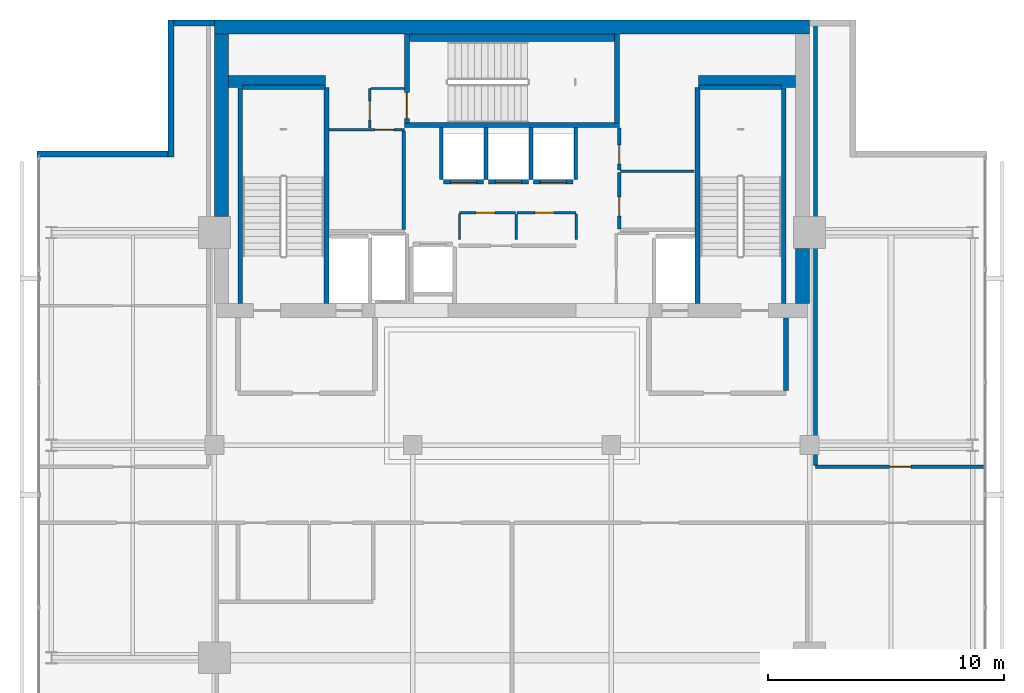
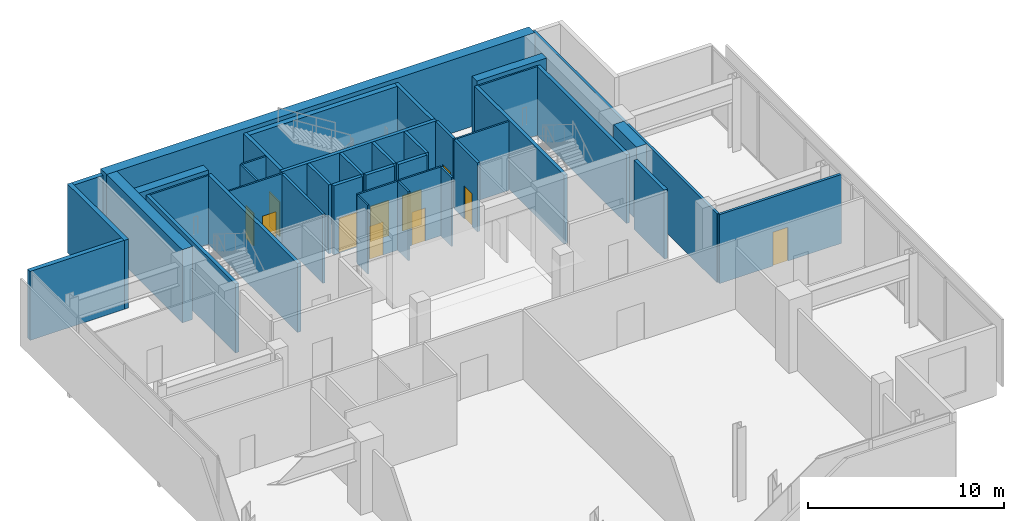
# One storey, part 18 of 23: 40 walls, 11 doors, 11 openings.
"""IFC4 building model written with IfcOpenShell, lengths in metres."""

from ifc_helpers import new_model, si_unit, direction, frame, frame_2d, origin, place, context, subcontext, project, spatial, rectangle, extrude, material, layer, layer_set, type_object, element, fill, save


model = new_model("IFC4")

# Units and contexts
model_context = context("Model", 3, precision=1e-05, world=origin(), true_north=direction((0.0, 1.0)))
body_context = subcontext(model_context, "Body", "Model", "MODEL_VIEW")
ifc_project = project(units=[si_unit("LENGTHUNIT", "METRE"), si_unit("AREAUNIT", "SQUARE_METRE"), si_unit("VOLUMEUNIT", "CUBIC_METRE"), si_unit("PLANEANGLEUNIT", "RADIAN"), si_unit("MASSUNIT", "GRAM", prefix="KILO")], contexts=[model_context])

# Site, building, storey
site_placement = place(None, origin())
site = spatial("IfcSite", under=ifc_project, at=site_placement, CompositionType="ELEMENT")
building_placement = place(site_placement, origin())
building = spatial("IfcBuilding", under=site, at=building_placement, Name="Maruvema Waterfront Hotel and Observation Tower", CompositionType="ELEMENT")
storey_placement = place(building_placement, frame((0.0, 0.0, 349.64990234375)))
storey = spatial("IfcBuildingStorey", under=building, at=storey_placement, Name="L86", CompositionType="ELEMENT", Elevation=349.64990234375)

# Wall
ifc_material_1 = material(Name="Twin-stud acoustic gypsum drywall", Category="gypsum")
ifc_layer_1 = layer(ifc_material_1, 0.14990234375, Name="Acoustic Corridor and Suite Demising Wall 150 mm")
ifc_layer_set_1 = layer_set([ifc_layer_1], Name="Twin-stud acoustic gypsum drywall")
wall_type_1 = type_object("IfcWallType", Name="Acoustic Corridor and Suite Demising Wall 150 mm", PredefinedType="PARTITIONING", material=ifc_layer_set_1)
wall_1_placement = place(storey_placement, frame((33.219970703125, 45.139892578125, 0.0), z_axis=(0.0, 0.0, 1.0), x_axis=(0.0, 1.0, 0.0)))
element("IfcWall", 1, at=wall_1_placement, inside=storey, type_object=wall_type_1, Name="L86 Freed B1 East Wall 019", PredefinedType="PARTITIONING", context=body_context, shape_type="SweptSolid", body=[
    extrude(rectangle(XDim=4.16015625, YDim=0.14990234375, at=frame_2d((2.080078125, 0.0))), origin(), (0.0, 0.0, 1.0), 4.2900390625),
])

# Wall, opening, door
wall_2_placement = place(storey_placement, frame((42.340087890625, 45.159912109375, 0.0), z_axis=(0.0, 0.0, 1.0), x_axis=(0.0, 1.0, 0.0)))
wall_2 = element("IfcWall", 2, at=wall_2_placement, inside=storey, type_object=wall_type_1, Name="L86 Freed B2 West S 023", PredefinedType="PARTITIONING", context=body_context, shape_type="SweptSolid", body=[
    extrude(rectangle(XDim=2.380126953125, YDim=0.14990234375, at=frame_2d((1.18994140625, 0.0))), origin(), (0.0, 0.0, 1.0), 4.2900390625),
])
opening_1_placement = place(wall_2_placement, frame((0.550048828125, 0.0, 0.0)))
opening_1 = element("IfcOpeningElement", 3, at=opening_1_placement, cuts=wall_2, Name="Opening DR-080", PredefinedType="OPENING", context=body_context, shape_type="SweptSolid", body=[
    extrude(rectangle(XDim=0.800048828125, YDim=2.050048828125, at=frame_2d((0.39990234375, 1.02490234375))), frame((0.0, 0.0849609375, 0.0), z_axis=(0.0, -1.0, 0.0), x_axis=(1.0, 0.0, 0.0)), (0.0, 0.0, 1.0), 0.169921875),
])
ifc_material_2 = material(Name="Powder-coated steel access leaf", Category="steel")
door_type_1 = type_object("IfcDoorType", Name="Riser and Service Cupboard Door 800x2050 mm", OperationType="NOTDEFINED", PredefinedType="DOOR", material=ifc_material_2)
door_1_placement = place(opening_1_placement, frame((0.800048828125, 0.0, 0.0), z_axis=(0.0, 0.0, 1.0), x_axis=(-1.0, 0.0, 0.0)))
door_1 = element("IfcDoor", 4, at=door_1_placement, inside=storey, type_object=door_type_1, Name="L86 Butler Service Pantry Door", OperationType="SINGLE_SWING_LEFT", OverallHeight=2.050048828125, OverallWidth=0.800048828125, PredefinedType="DOOR", context=body_context, shape_type="SweptSolid", body=[
    extrude(rectangle(XDim=0.800048828125, YDim=2.050048828125, at=frame_2d((0.39990234375, 1.02490234375))), frame((0.0, 0.02490234375, 0.0), z_axis=(0.0, -1.0, 0.0), x_axis=(1.0, 0.0, 0.0)), (0.0, 0.0, 1.0), 0.050048828125),
])
fill(opening_1, door_1)

wall_3_placement = place(storey_placement, frame((42.340087890625, 47.659912109375, 0.0), z_axis=(0.0, 0.0, 1.0), x_axis=(0.0, 1.0, 0.0)))
wall_3 = element("IfcWall", 5, at=wall_3_placement, inside=storey, type_object=wall_type_1, Name="L86 Freed B2 West N 024", PredefinedType="PARTITIONING", context=body_context, shape_type="SweptSolid", body=[
    extrude(rectangle(XDim=1.760009765625, YDim=0.14990234375, at=frame_2d((0.8798828125, 0.0))), origin(), (0.0, 0.0, 1.0), 4.2900390625),
])
opening_2_placement = place(wall_3_placement, frame((0.239990234375, 0.0, 0.0)))
opening_2 = element("IfcOpeningElement", 6, at=opening_2_placement, cuts=wall_3, Name="Opening DR-080", PredefinedType="OPENING", context=body_context, shape_type="SweptSolid", body=[
    extrude(rectangle(XDim=0.800048828125, YDim=2.050048828125, at=frame_2d((0.39990234375, 1.02490234375))), frame((0.0, 0.0849609375, 0.0), z_axis=(0.0, -1.0, 0.0), x_axis=(1.0, 0.0, 0.0)), (0.0, 0.0, 1.0), 0.169921875),
])
door_2_placement = place(opening_2_placement, frame((0.800048828125, 0.0, 0.0), z_axis=(0.0, 0.0, 1.0), x_axis=(-1.0, 0.0, 0.0)))
door_2 = element("IfcDoor", 7, at=door_2_placement, inside=storey, type_object=door_type_1, Name="L86 Core IT and Linen Store Door", OperationType="SINGLE_SWING_RIGHT", OverallHeight=2.050048828125, OverallWidth=0.800048828125, PredefinedType="DOOR", context=body_context, shape_type="SweptSolid", body=[
    extrude(rectangle(XDim=0.800048828125, YDim=2.050048828125, at=frame_2d((0.39990234375, 1.02490234375))), frame((0.0, 0.02490234375, 0.0), z_axis=(0.0, -1.0, 0.0), x_axis=(1.0, 0.0, 0.0)), (0.0, 0.0, 1.0), 0.050048828125),
])
fill(opening_2, door_2)

wall_4_placement = place(storey_placement, frame((50.64990234375, 35.080078125, 0.0), z_axis=(0.0, 0.0, 1.0), x_axis=(1.0, 0.0, 0.0)))
wall_4 = element("IfcWall", 8, at=wall_4_placement, inside=storey, type_object=wall_type_1, Name="L86 L86 Sommelier South 043", PredefinedType="PARTITIONING", context=body_context, shape_type="SweptSolid", body=[
    extrude(rectangle(XDim=7.170166015625, YDim=0.14990234375, at=frame_2d((3.5849609375, 0.0))), origin(), (0.0, 0.0, 1.0), 4.2900390625),
])
opening_3_placement = place(wall_4_placement, frame((3.135009765625, 0.0, 0.0)))
opening_3 = element("IfcOpeningElement", 9, at=opening_3_placement, cuts=wall_4, Name="Opening DR-090", PredefinedType="OPENING", context=body_context, shape_type="SweptSolid", body=[
    extrude(rectangle(XDim=0.89990234375, YDim=2.10009765625, at=frame_2d((0.449951171875, 1.050048828125))), frame((0.0, 0.0849609375, 0.0), z_axis=(0.0, -1.0, 0.0), x_axis=(1.0, 0.0, 0.0)), (0.0, 0.0, 1.0), 0.169921875),
])
ifc_material_3 = material(Name="Solid-core lacquered timber leaf", Category="wood")
door_type_2 = type_object("IfcDoorType", Name="Accessible Toilet and Room Door 900x2100 mm", OperationType="NOTDEFINED", PredefinedType="DOOR", material=ifc_material_3)
door_3_placement = place(opening_3_placement, frame((0.89990234375, 0.0, 0.0), z_axis=(0.0, 0.0, 1.0), x_axis=(-1.0, 0.0, 0.0)))
door_3 = element("IfcDoor", 10, at=door_3_placement, inside=storey, type_object=door_type_2, Name="L86 Sommelier Salon Door", OperationType="SINGLE_SWING_LEFT", OverallHeight=2.10009765625, OverallWidth=0.89990234375, PredefinedType="DOOR", context=body_context, shape_type="SweptSolid", body=[
    extrude(rectangle(XDim=0.89990234375, YDim=2.10009765625, at=frame_2d((0.449951171875, 1.050048828125))), frame((0.0, 0.02490234375, 0.0), z_axis=(0.0, -1.0, 0.0), x_axis=(1.0, 0.0, 0.0)), (0.0, 0.0, 1.0), 0.050048828125),
])
fill(opening_3, door_3)

# Walls
wall_5_placement = place(storey_placement, frame((50.64990234375, 35.139892578125, 0.0), z_axis=(0.0, 0.0, 1.0), x_axis=(0.0, 1.0, 0.0)))
element("IfcWall", 11, at=wall_5_placement, inside=storey, type_object=wall_type_1, Name="L86 L86 Sommelier West 044", PredefinedType="PARTITIONING", context=body_context, shape_type="SweptSolid", body=[
    extrude(rectangle(XDim=18.780029296875, YDim=0.14990234375, at=frame_2d((9.39013671875, 0.0))), origin(), (0.0, 0.0, 1.0), 4.2900390625),
])
ifc_material_4 = material(Name="Precast concrete C45/55", Category="concrete")
ifc_layer_2 = layer(ifc_material_4, 0.300048828125, Name="Core Shaft Furring Wall 300 mm")
ifc_layer_set_2 = layer_set([ifc_layer_2], Name="Precast concrete C45/55")
wall_type_2 = type_object("IfcWallType", Name="Core Shaft Furring Wall 300 mm", PredefinedType="SOLIDWALL", material=ifc_layer_set_2)
wall_6_placement = place(storey_placement, frame((33.449951171875, 53.25, 0.0), z_axis=(0.0, 0.0, 1.0), x_axis=(1.0, 0.0, 0.0)))
element("IfcWall", 12, at=wall_6_placement, inside=storey, type_object=wall_type_2, Name="L86 Stairwell ST-02 North Furring Wall", PredefinedType="SOLIDWALL", context=body_context, shape_type="SweptSolid", body=[
    extrude(rectangle(XDim=8.699951171875, YDim=0.300048828125, at=frame_2d((4.35009765625, 0.0))), origin(), (0.0, 0.0, 1.0), 4.2900390625),
])
ifc_material_5 = material(Name="Precast concrete C45/55", Category="concrete")
ifc_layer_3 = layer(ifc_material_5, 0.199951171875, Name="Core Shaft and Stairwell Enclosure Wall 200 mm")
ifc_layer_set_3 = layer_set([ifc_layer_3], Name="Precast concrete C45/55")
wall_type_3 = type_object("IfcWallType", Name="Core Shaft and Stairwell Enclosure Wall 200 mm", PredefinedType="SOLIDWALL", material=ifc_layer_set_3)
wall_7_placement = place(storey_placement, frame((29.949951171875, 42.0, 0.0), z_axis=(0.0, 0.0, 1.0), x_axis=(0.0, 1.0, 0.0)))
element("IfcWall", 13, at=wall_7_placement, inside=storey, type_object=wall_type_3, Name="L86 Stairwell ST-01 East Shaft Wall", PredefinedType="SOLIDWALL", context=body_context, shape_type="SweptSolid", body=[
    extrude(rectangle(XDim=9.14990234375, YDim=0.199951171875, at=frame_2d((4.574951171875, 0.0))), origin(), (0.0, 0.0, 1.0), 4.2900390625),
])
wall_8_placement = place(storey_placement, frame((26.300048828125, 42.0, 0.0), z_axis=(0.0, 0.0, 1.0), x_axis=(0.0, 1.0, 0.0)))
element("IfcWall", 14, at=wall_8_placement, inside=storey, type_object=wall_type_3, Name="L86 Stairwell ST-01 Shaft Lining Wall", PredefinedType="SOLIDWALL", context=body_context, shape_type="SweptSolid", body=[
    extrude(rectangle(XDim=9.1201171875, YDim=0.199951171875, at=frame_2d((4.56005859375, 0.0))), origin(), (0.0, 0.0, 1.0), 4.2900390625),
])
wall_9_placement = place(storey_placement, frame((26.3798828125, 51.14990234375, 0.0), z_axis=(0.0, 0.0, 1.0), x_axis=(1.0, 0.0, 0.0)))
element("IfcWall", 15, at=wall_9_placement, inside=storey, type_object=wall_type_3, Name="L86 Stairwell ST-01 Shaft Lining Wall", PredefinedType="SOLIDWALL", context=body_context, shape_type="SweptSolid", body=[
    extrude(rectangle(XDim=3.5, YDim=0.199951171875, at=frame_2d((1.75, 0.0))), origin(), (0.0, 0.0, 1.0), 4.2900390625),
])
wall_10_placement = place(storey_placement, frame((33.25, 49.550048828125, 0.0), z_axis=(0.0, 0.0, 1.0), x_axis=(1.0, 0.0, 0.0)))
element("IfcWall", 16, at=wall_10_placement, inside=storey, type_object=wall_type_3, Name="L86 Stairwell ST-02 Shaft Wall", PredefinedType="SOLIDWALL", context=body_context, shape_type="SweptSolid", body=[
    extrude(rectangle(XDim=9.10009765625, YDim=0.199951171875, at=frame_2d((4.550048828125, 0.0))), origin(), (0.0, 0.0, 1.0), 4.2900390625),
])
wall_11_placement = place(storey_placement, frame((42.25, 49.64990234375, 0.0), z_axis=(0.0, 0.0, 1.0), x_axis=(0.0, 1.0, 0.0)))
element("IfcWall", 17, at=wall_11_placement, inside=storey, type_object=wall_type_3, Name="L86 Stairwell ST-02 Shaft Wall", PredefinedType="SOLIDWALL", context=body_context, shape_type="SweptSolid", body=[
    extrude(rectangle(XDim=3.75, YDim=0.199951171875, at=frame_2d((1.875, 0.0))), origin(), (0.0, 0.0, 1.0), 4.2900390625),
])

# Wall, opening, door
wall_12_placement = place(storey_placement, frame((33.35009765625, 49.64990234375, 0.0), z_axis=(0.0, 0.0, 1.0), x_axis=(0.0, 1.0, 0.0)))
wall_12 = element("IfcWall", 18, at=wall_12_placement, inside=storey, type_object=wall_type_3, Name="L86 Stairwell ST-02 Shaft Wall", PredefinedType="SOLIDWALL", context=body_context, shape_type="SweptSolid", body=[
    extrude(rectangle(XDim=3.75, YDim=0.199951171875, at=frame_2d((1.875, 0.0))), origin(), (0.0, 0.0, 1.0), 4.2900390625),
])
opening_4_placement = place(wall_12_placement, frame((0.179931640625, 0.0, 0.0)))
opening_4 = element("IfcOpeningElement", 19, at=opening_4_placement, cuts=wall_12, Name="Opening SD-02", PredefinedType="OPENING", context=body_context, shape_type="SweptSolid", body=[
    extrude(rectangle(XDim=1.10009765625, YDim=2.14990234375, at=frame_2d((0.550048828125, 1.074951171875))), frame((0.0, 0.10986328125, 0.0), z_axis=(0.0, -1.0, 0.0), x_axis=(1.0, 0.0, 0.0)), (0.0, 0.0, 1.0), 0.219970703125),
])
ifc_material_6 = material(Name="Fire-rated galvanised steel leaf", Category="steel")
door_type_3 = type_object("IfcDoorType", Name="Central Exit Stair Fire Door 1100x2150 mm", OperationType="NOTDEFINED", PredefinedType="DOOR", material=ifc_material_6)
door_4_placement = place(opening_4_placement, frame((1.10009765625, 0.0, 0.0), z_axis=(0.0, 0.0, 1.0), x_axis=(-1.0, 0.0, 0.0)))
door_4 = element("IfcDoor", 20, at=door_4_placement, inside=storey, type_object=door_type_3, Name="L86 Exit Stair ST-02 Fire Door", OperationType="SINGLE_SWING_LEFT", OverallHeight=2.14990234375, OverallWidth=1.10009765625, PredefinedType="DOOR", context=body_context, shape_type="SweptSolid", body=[
    extrude(rectangle(XDim=1.10009765625, YDim=2.14990234375, at=frame_2d((0.550048828125, 1.074951171875))), frame((0.0, 0.02490234375, 0.0), z_axis=(0.0, -1.0, 0.0), x_axis=(1.0, 0.0, 0.0)), (0.0, 0.0, 1.0), 0.050048828125),
])
fill(opening_4, door_4)

# Walls
wall_13_placement = place(storey_placement, frame((45.64990234375, 42.0, 0.0), z_axis=(0.0, 0.0, 1.0), x_axis=(0.0, 1.0, 0.0)))
element("IfcWall", 21, at=wall_13_placement, inside=storey, type_object=wall_type_3, Name="L86 Stairwell ST-03 West Shaft Wall", PredefinedType="SOLIDWALL", context=body_context, shape_type="SweptSolid", body=[
    extrude(rectangle(XDim=9.14990234375, YDim=0.199951171875, at=frame_2d((4.574951171875, 0.0))), origin(), (0.0, 0.0, 1.0), 4.2900390625),
])
wall_14_placement = place(storey_placement, frame((49.300048828125, 42.0, 0.0), z_axis=(0.0, 0.0, 1.0), x_axis=(0.0, 1.0, 0.0)))
element("IfcWall", 22, at=wall_14_placement, inside=storey, type_object=wall_type_3, Name="L86 Stairwell ST-03 Shaft Lining Wall", PredefinedType="SOLIDWALL", context=body_context, shape_type="SweptSolid", body=[
    extrude(rectangle(XDim=9.1201171875, YDim=0.199951171875, at=frame_2d((4.56005859375, 0.0))), origin(), (0.0, 0.0, 1.0), 4.2900390625),
])
wall_15_placement = place(storey_placement, frame((45.719970703125, 51.14990234375, 0.0), z_axis=(0.0, 0.0, 1.0), x_axis=(1.0, 0.0, 0.0)))
element("IfcWall", 23, at=wall_15_placement, inside=storey, type_object=wall_type_3, Name="L86 Stairwell ST-03 Shaft Lining Wall", PredefinedType="SOLIDWALL", context=body_context, shape_type="SweptSolid", body=[
    extrude(rectangle(XDim=3.5, YDim=0.199951171875, at=frame_2d((1.75, 0.0))), origin(), (0.0, 0.0, 1.0), 4.2900390625),
])

# Wall, opening, door
wall_16_placement = place(storey_placement, frame((34.909912109375, 47.14990234375, 0.0), z_axis=(0.0, 0.0, 1.0), x_axis=(1.0, 0.0, 0.0)))
wall_16 = element("IfcWall", 24, at=wall_16_placement, inside=storey, type_object=wall_type_3, Name="L86 Lift LF-12 Hoistway Front Wall", PredefinedType="SOLIDWALL", context=body_context, shape_type="SweptSolid", body=[
    extrude(rectangle(XDim=1.68017578125, YDim=0.199951171875, at=frame_2d((0.840087890625, 0.0))), origin(), (0.0, 0.0, 1.0), 4.2900390625),
])
opening_5_placement = place(wall_16_placement, frame((0.2900390625, 0.0, 0.0)))
opening_5 = element("IfcOpeningElement", 25, at=opening_5_placement, cuts=wall_16, Name="Opening LD-02", PredefinedType="OPENING", context=body_context, shape_type="SweptSolid", body=[
    extrude(rectangle(XDim=1.10009765625, YDim=2.199951171875, at=frame_2d((0.550048828125, 1.10009765625))), frame((0.0, 0.10986328125, 0.0), z_axis=(0.0, -1.0, 0.0), x_axis=(1.0, 0.0, 0.0)), (0.0, 0.0, 1.0), 0.219970703125),
])
ifc_material_7 = material(Name="Brushed stainless steel Grade 316", Category="steel")
door_type_4 = type_object("IfcDoorType", Name="Shuttle Lift Sliding Landing Door 1100x2200 mm", OperationType="SLIDING_TO_RIGHT", PredefinedType="DOOR", material=ifc_material_7)
door_5_placement = place(opening_5_placement, frame((1.10009765625, 0.0, 0.0), z_axis=(0.0, 0.0, 1.0), x_axis=(-1.0, 0.0, 0.0)))
door_5 = element("IfcDoor", 26, at=door_5_placement, inside=storey, type_object=door_type_4, Name="L86 Lift LF-12 Sliding Landing Door", OperationType="SLIDING_TO_RIGHT", OverallHeight=2.199951171875, OverallWidth=1.10009765625, PredefinedType="DOOR", context=body_context, shape_type="SweptSolid", body=[
    extrude(rectangle(XDim=1.10009765625, YDim=2.199951171875, at=frame_2d((0.550048828125, 1.10009765625))), frame((0.0, 0.02490234375, 0.0), z_axis=(0.0, -1.0, 0.0), x_axis=(1.0, 0.0, 0.0)), (0.0, 0.0, 1.0), 0.050048828125),
])
fill(opening_5, door_5)

wall_17_placement = place(storey_placement, frame((36.81005859375, 47.14990234375, 0.0), z_axis=(0.0, 0.0, 1.0), x_axis=(1.0, 0.0, 0.0)))
wall_17 = element("IfcWall", 27, at=wall_17_placement, inside=storey, type_object=wall_type_3, Name="L86 Lift LF-13 Hoistway Front Wall", PredefinedType="SOLIDWALL", context=body_context, shape_type="SweptSolid", body=[
    extrude(rectangle(XDim=1.679931640625, YDim=0.199951171875, at=frame_2d((0.83984375, 0.0))), origin(), (0.0, 0.0, 1.0), 4.2900390625),
])
opening_6_placement = place(wall_17_placement, frame((0.2900390625, 0.0, 0.0)))
opening_6 = element("IfcOpeningElement", 28, at=opening_6_placement, cuts=wall_17, Name="Opening LD-02", PredefinedType="OPENING", context=body_context, shape_type="SweptSolid", body=[
    extrude(rectangle(XDim=1.10009765625, YDim=2.199951171875, at=frame_2d((0.550048828125, 1.10009765625))), frame((0.0, 0.10986328125, 0.0), z_axis=(0.0, -1.0, 0.0), x_axis=(1.0, 0.0, 0.0)), (0.0, 0.0, 1.0), 0.219970703125),
])
door_6_placement = place(opening_6_placement, frame((1.10009765625, 0.0, 0.0), z_axis=(0.0, 0.0, 1.0), x_axis=(-1.0, 0.0, 0.0)))
door_6 = element("IfcDoor", 29, at=door_6_placement, inside=storey, type_object=door_type_4, Name="L86 Lift LF-13 Sliding Landing Door", OperationType="SLIDING_TO_RIGHT", OverallHeight=2.199951171875, OverallWidth=1.10009765625, PredefinedType="DOOR", context=body_context, shape_type="SweptSolid", body=[
    extrude(rectangle(XDim=1.10009765625, YDim=2.199951171875, at=frame_2d((0.550048828125, 1.10009765625))), frame((0.0, 0.02490234375, 0.0), z_axis=(0.0, -1.0, 0.0), x_axis=(1.0, 0.0, 0.0)), (0.0, 0.0, 1.0), 0.050048828125),
])
fill(opening_6, door_6)

wall_18_placement = place(storey_placement, frame((38.7099609375, 47.14990234375, 0.0), z_axis=(0.0, 0.0, 1.0), x_axis=(1.0, 0.0, 0.0)))
wall_18 = element("IfcWall", 30, at=wall_18_placement, inside=storey, type_object=wall_type_3, Name="L86 Lift LF-14 Hoistway Front Wall", PredefinedType="SOLIDWALL", context=body_context, shape_type="SweptSolid", body=[
    extrude(rectangle(XDim=1.679931640625, YDim=0.199951171875, at=frame_2d((0.83984375, 0.0))), origin(), (0.0, 0.0, 1.0), 4.2900390625),
])
opening_7_placement = place(wall_18_placement, frame((0.2900390625, 0.0, 0.0)))
opening_7 = element("IfcOpeningElement", 31, at=opening_7_placement, cuts=wall_18, Name="Opening LD-02", PredefinedType="OPENING", context=body_context, shape_type="SweptSolid", body=[
    extrude(rectangle(XDim=1.10009765625, YDim=2.199951171875, at=frame_2d((0.550048828125, 1.10009765625))), frame((0.0, 0.10986328125, 0.0), z_axis=(0.0, -1.0, 0.0), x_axis=(1.0, 0.0, 0.0)), (0.0, 0.0, 1.0), 0.219970703125),
])
door_7_placement = place(opening_7_placement, frame((1.10009765625, 0.0, 0.0), z_axis=(0.0, 0.0, 1.0), x_axis=(-1.0, 0.0, 0.0)))
door_7 = element("IfcDoor", 32, at=door_7_placement, inside=storey, type_object=door_type_4, Name="L86 Lift LF-14 Sliding Landing Door", OperationType="SLIDING_TO_RIGHT", OverallHeight=2.199951171875, OverallWidth=1.10009765625, PredefinedType="DOOR", context=body_context, shape_type="SweptSolid", body=[
    extrude(rectangle(XDim=1.10009765625, YDim=2.199951171875, at=frame_2d((0.550048828125, 1.10009765625))), frame((0.0, 0.02490234375, 0.0), z_axis=(0.0, -1.0, 0.0), x_axis=(1.0, 0.0, 0.0)), (0.0, 0.0, 1.0), 0.050048828125),
])
fill(opening_7, door_7)

# Walls
ifc_material_8 = material(Name="Concrete C70/85", Category="concrete")
ifc_layer_4 = layer(ifc_material_8, 0.5, Name="Core Shear Wall 500 mm")
ifc_layer_set_4 = layer_set([ifc_layer_4], Name="Concrete C70/85")
wall_type_4 = type_object("IfcWallType", Name="Core Shear Wall 500 mm", PredefinedType="SHEAR", material=ifc_layer_set_4)
wall_19_placement = place(storey_placement, frame((25.800048828125, 51.39990234375, 0.0), z_axis=(0.0, 0.0, 1.0), x_axis=(1.0, 0.0, 0.0)))
element("IfcWall", 33, at=wall_19_placement, inside=storey, type_object=wall_type_4, Name="L86 Internal Core Shear Wall NW 500 mm", PredefinedType="SHEAR", context=body_context, shape_type="SweptSolid", body=[
    extrude(rectangle(XDim=4.099853515625, YDim=0.5, at=frame_2d((2.0498046875, 0.0))), origin(), (0.0, 0.0, 1.0), 4.550048828125),
])
wall_20_placement = place(storey_placement, frame((45.699951171875, 51.39990234375, 0.0), z_axis=(0.0, 0.0, 1.0), x_axis=(1.0, 0.0, 0.0)))
element("IfcWall", 34, at=wall_20_placement, inside=storey, type_object=wall_type_4, Name="L86 Internal Core Shear Wall NE 500 mm", PredefinedType="SHEAR", context=body_context, shape_type="SweptSolid", body=[
    extrude(rectangle(XDim=4.10009765625, YDim=0.5, at=frame_2d((2.050048828125, 0.0))), origin(), (0.0, 0.0, 1.0), 4.550048828125),
])
ifc_material_9 = material(Name="Concrete C60/75", Category="concrete")
ifc_layer_5 = layer(ifc_material_9, 0.60009765625, Name="Core Shear Wall 600 mm")
ifc_layer_set_5 = layer_set([ifc_layer_5], Name="Concrete C60/75")
wall_type_5 = type_object("IfcWallType", Name="Core Shear Wall 600 mm", PredefinedType="SHEAR", material=ifc_layer_set_5)
wall_21_placement = place(storey_placement, frame((25.199951171875, 53.699951171875, 0.0), z_axis=(0.0, 0.0, 1.0), x_axis=(1.0, 0.0, 0.0)))
element("IfcWall", 35, at=wall_21_placement, inside=storey, type_object=wall_type_5, Name="L86 North Core Shear Wall", PredefinedType="SHEAR", context=body_context, shape_type="SweptSolid", body=[
    extrude(rectangle(XDim=25.199951171875, YDim=0.60009765625, at=frame_2d((12.60009765625, 0.0))), origin(), (0.0, 0.0, 1.0), 4.550048828125),
])
wall_22_placement = place(storey_placement, frame((25.5, 45.675048828125, 0.0), z_axis=(0.0, 0.0, 1.0), x_axis=(0.0, 1.0, 0.0)))
element("IfcWall", 36, at=wall_22_placement, inside=storey, type_object=wall_type_5, Name="L86 West-North Core Shear Wall", PredefinedType="SHEAR", context=body_context, shape_type="SweptSolid", body=[
    extrude(rectangle(XDim=7.724853515625, YDim=0.60009765625, at=frame_2d((3.8623046875, 0.0))), origin(), (0.0, 0.0, 1.0), 4.550048828125),
])
wall_23_placement = place(storey_placement, frame((50.10009765625, 42.0, 0.0), z_axis=(0.0, 0.0, 1.0), x_axis=(0.0, 1.0, 0.0)))
element("IfcWall", 37, at=wall_23_placement, inside=storey, type_object=wall_type_5, Name="L86 East-South Core Shear Wall", PredefinedType="SHEAR", context=body_context, shape_type="SweptSolid", body=[
    extrude(rectangle(XDim=2.324951171875, YDim=0.60009765625, at=frame_2d((1.16259765625, 0.0))), origin(), (0.0, 0.0, 1.0), 4.550048828125),
])

# Wall, opening, door
ifc_material_10 = material(Name="Moisture-resistant cement-board drywall", Category="gypsum")
ifc_layer_6 = layer(ifc_material_10, 0.10009765625, Name="En-Suite Moisture-Resistant Partition 100 mm")
ifc_layer_set_6 = layer_set([ifc_layer_6], Name="Moisture-resistant cement-board drywall")
wall_type_6 = type_object("IfcWallType", Name="En-Suite Moisture-Resistant Partition 100 mm", PredefinedType="PARTITIONING", material=ifc_layer_set_6)
wall_24_placement = place(storey_placement, frame((35.580078125, 45.840087890625, 0.0), z_axis=(0.0, 0.0, 1.0), x_axis=(1.0, 0.0, 0.0)))
wall_24 = element("IfcWall", 38, at=wall_24_placement, inside=storey, type_object=wall_type_6, Name="L86 Core Closet K2A North 010", PredefinedType="PARTITIONING", context=body_context, shape_type="SweptSolid", body=[
    extrude(rectangle(XDim=2.35986328125, YDim=0.10009765625, at=frame_2d((1.179931640625, 0.0))), origin(), (0.0, 0.0, 1.0), 4.2900390625),
])
opening_8_placement = place(wall_24_placement, frame((0.699951171875, 0.0, 0.0)))
opening_8 = element("IfcOpeningElement", 39, at=opening_8_placement, cuts=wall_24, Name="Opening DR-080", PredefinedType="OPENING", context=body_context, shape_type="SweptSolid", body=[
    extrude(rectangle(XDim=0.800048828125, YDim=2.050048828125, at=frame_2d((0.39990234375, 1.02490234375))), frame((0.0, 0.06005859375, 0.0), z_axis=(0.0, -1.0, 0.0), x_axis=(1.0, 0.0, 0.0)), (0.0, 0.0, 1.0), 0.1201171875),
])
door_8_placement = place(opening_8_placement, origin())
door_8 = element("IfcDoor", 40, at=door_8_placement, inside=storey, type_object=door_type_1, Name="L86 Core IT Closet Door", OperationType="SINGLE_SWING_LEFT", OverallHeight=2.050048828125, OverallWidth=0.800048828125, PredefinedType="DOOR", context=body_context, shape_type="SweptSolid", body=[
    extrude(rectangle(XDim=0.800048828125, YDim=2.050048828125, at=frame_2d((0.39990234375, 1.02490234375))), frame((0.0, 0.02490234375, 0.0), z_axis=(0.0, -1.0, 0.0), x_axis=(1.0, 0.0, 0.0)), (0.0, 0.0, 1.0), 0.050048828125),
])
fill(opening_8, door_8)

wall_25_placement = place(storey_placement, frame((38.02001953125, 45.840087890625, 0.0), z_axis=(0.0, 0.0, 1.0), x_axis=(1.0, 0.0, 0.0)))
wall_25 = element("IfcWall", 41, at=wall_25_placement, inside=storey, type_object=wall_type_6, Name="L86 Core Closet K2B North 011", PredefinedType="PARTITIONING", context=body_context, shape_type="SweptSolid", body=[
    extrude(rectangle(XDim=2.5, YDim=0.10009765625, at=frame_2d((1.25, 0.0))), origin(), (0.0, 0.0, 1.0), 4.2900390625),
])
opening_9_placement = place(wall_25_placement, frame((0.75, 0.0, 0.0)))
opening_9 = element("IfcOpeningElement", 42, at=opening_9_placement, cuts=wall_25, Name="Opening DR-080", PredefinedType="OPENING", context=body_context, shape_type="SweptSolid", body=[
    extrude(rectangle(XDim=0.800048828125, YDim=2.050048828125, at=frame_2d((0.39990234375, 1.02490234375))), frame((0.0, 0.06005859375, 0.0), z_axis=(0.0, -1.0, 0.0), x_axis=(1.0, 0.0, 0.0)), (0.0, 0.0, 1.0), 0.1201171875),
])
door_9_placement = place(opening_9_placement, origin())
door_9 = element("IfcDoor", 43, at=door_9_placement, inside=storey, type_object=door_type_1, Name="L86 Core Linen Cupboard Door", OperationType="SINGLE_SWING_RIGHT", OverallHeight=2.050048828125, OverallWidth=0.800048828125, PredefinedType="DOOR", context=body_context, shape_type="SweptSolid", body=[
    extrude(rectangle(XDim=0.800048828125, YDim=2.050048828125, at=frame_2d((0.39990234375, 1.02490234375))), frame((0.0, 0.02490234375, 0.0), z_axis=(0.0, -1.0, 0.0), x_axis=(1.0, 0.0, 0.0)), (0.0, 0.0, 1.0), 0.050048828125),
])
fill(opening_9, door_9)

# Walls
for number, where, z_axis, x_axis, name in (
    (44, (35.580078125, 44.699951171875, 0.0), (0.0, 0.0, 1.0), (0.0, 1.0, 0.0), "L86 Core Closet K2 West 012"),
    (45, (37.97998046875, 44.699951171875, 0.0), (0.0, 0.0, 1.0), (0.0, 1.0, 0.0), "L86 Core Closet K2 Mid 013"),
    (46, (40.52001953125, 44.699951171875, 0.0), (0.0, 0.0, 1.0), (0.0, 1.0, 0.0), "L86 Core Closet K2 East 014"),
):
    element("IfcWall", number, at=place(storey_placement, frame(where, z_axis=z_axis, x_axis=x_axis)), inside=storey, type_object=wall_type_6, Name=name, PredefinedType="PARTITIONING", context=body_context, shape_type="SweptSolid", body=[
        extrude(rectangle(XDim=1.080078125, YDim=0.10009765625, at=frame_2d((0.5400390625, 0.0))), origin(), (0.0, 0.0, 1.0), 4.2900390625),
    ])

# Wall, opening, door
wall_26_placement = place(storey_placement, frame((30.06005859375, 49.360107421875, 0.0), z_axis=(0.0, 0.0, 1.0), x_axis=(1.0, 0.0, 0.0)))
wall_26 = element("IfcWall", 47, at=wall_26_placement, inside=storey, type_object=wall_type_6, Name="L86 Freed B1 Mid Wall 020", PredefinedType="PARTITIONING", context=body_context, shape_type="SweptSolid", body=[
    extrude(rectangle(XDim=3.179931640625, YDim=0.10009765625, at=frame_2d((1.58984375, 0.0))), origin(), (0.0, 0.0, 1.0), 4.2900390625),
])
opening_10_placement = place(wall_26_placement, frame((1.949951171875, 0.0, 0.0)))
opening_10 = element("IfcOpeningElement", 48, at=opening_10_placement, cuts=wall_26, Name="Opening DR-080", PredefinedType="OPENING", context=body_context, shape_type="SweptSolid", body=[
    extrude(rectangle(XDim=0.800048828125, YDim=2.050048828125, at=frame_2d((0.39990234375, 1.02490234375))), frame((0.0, 0.06005859375, 0.0), z_axis=(0.0, -1.0, 0.0), x_axis=(1.0, 0.0, 0.0)), (0.0, 0.0, 1.0), 0.1201171875),
])
door_10_placement = place(opening_10_placement, origin())
door_10 = element("IfcDoor", 49, at=door_10_placement, inside=storey, type_object=door_type_1, Name="L86 Housekeeping and Linen Room Door", OperationType="SINGLE_SWING_LEFT", OverallHeight=2.050048828125, OverallWidth=0.800048828125, PredefinedType="DOOR", context=body_context, shape_type="SweptSolid", body=[
    extrude(rectangle(XDim=0.800048828125, YDim=2.050048828125, at=frame_2d((0.39990234375, 1.02490234375))), frame((0.0, 0.02490234375, 0.0), z_axis=(0.0, -1.0, 0.0), x_axis=(1.0, 0.0, 0.0)), (0.0, 0.0, 1.0), 0.050048828125),
])
fill(opening_10, door_10)

wall_27_placement = place(storey_placement, frame((31.780029296875, 49.419921875, 0.0), z_axis=(0.0, 0.0, 1.0), x_axis=(0.0, 1.0, 0.0)))
wall_27 = element("IfcWall", 50, at=wall_27_placement, inside=storey, type_object=wall_type_6, Name="L86 Freed B1 NW East Wall 021", PredefinedType="PARTITIONING", context=body_context, shape_type="SweptSolid", body=[
    extrude(rectangle(XDim=1.68017578125, YDim=0.10009765625, at=frame_2d((0.840087890625, 0.0))), origin(), (0.0, 0.0, 1.0), 4.2900390625),
])
opening_11_placement = place(wall_27_placement, frame((0.35009765625, 0.0, 0.0)))
opening_11 = element("IfcOpeningElement", 51, at=opening_11_placement, cuts=wall_27, Name="Opening DR-080", PredefinedType="OPENING", context=body_context, shape_type="SweptSolid", body=[
    extrude(rectangle(XDim=0.800048828125, YDim=2.050048828125, at=frame_2d((0.39990234375, 1.02490234375))), frame((0.0, 0.06005859375, 0.0), z_axis=(0.0, -1.0, 0.0), x_axis=(1.0, 0.0, 0.0)), (0.0, 0.0, 1.0), 0.1201171875),
])
door_11_placement = place(opening_11_placement, origin())
door_11 = element("IfcDoor", 52, at=door_11_placement, inside=storey, type_object=door_type_1, Name="L86 Guest Floor Pantry Door", OperationType="SINGLE_SWING_RIGHT", OverallHeight=2.050048828125, OverallWidth=0.800048828125, PredefinedType="DOOR", context=body_context, shape_type="SweptSolid", body=[
    extrude(rectangle(XDim=0.800048828125, YDim=2.050048828125, at=frame_2d((0.39990234375, 1.02490234375))), frame((0.0, 0.02490234375, 0.0), z_axis=(0.0, -1.0, 0.0), x_axis=(1.0, 0.0, 0.0)), (0.0, 0.0, 1.0), 0.050048828125),
])
fill(opening_11, door_11)

# Walls
wall_28_placement = place(storey_placement, frame((31.820068359375, 51.10009765625, 0.0), z_axis=(0.0, 0.0, 1.0), x_axis=(1.0, 0.0, 0.0)))
element("IfcWall", 53, at=wall_28_placement, inside=storey, type_object=wall_type_6, Name="L86 Freed B1 Vestibule North Wall 022", PredefinedType="PARTITIONING", context=body_context, shape_type="SweptSolid", body=[
    extrude(rectangle(XDim=1.419921875, YDim=0.10009765625, at=frame_2d((0.7099609375, 0.0))), origin(), (0.0, 0.0, 1.0), 4.2900390625),
])
wall_29_placement = place(storey_placement, frame((42.39990234375, 47.60009765625, 0.0), z_axis=(0.0, 0.0, 1.0), x_axis=(1.0, 0.0, 0.0)))
element("IfcWall", 54, at=wall_29_placement, inside=storey, type_object=wall_type_6, Name="L86 Freed B2 Split 025", PredefinedType="PARTITIONING", context=body_context, shape_type="SweptSolid", body=[
    extrude(rectangle(XDim=3.10009765625, YDim=0.10009765625, at=frame_2d((1.550048828125, 0.0))), origin(), (0.0, 0.0, 1.0), 4.2900390625),
])
ifc_material_11 = material(Name="Precast concrete C45/55 with honed Pernambuco granite facing", Category="masonry")
ifc_layer_7 = layer(ifc_material_11, 0.260009765625, Name="Exterior Granite Clad Spandrel and Pier Wall 260 mm")
ifc_layer_set_7 = layer_set([ifc_layer_7], Name="Precast concrete C45/55 with honed Pernambuco granite facing")
wall_type_7 = type_object("IfcWallType", Name="Exterior Granite Clad Spandrel and Pier Wall 260 mm", PredefinedType="SOLIDWALL", material=ifc_layer_set_7)
for number, where, z_axis, x_axis, name in (
    (55, (23.3701171875, 48.199951171875, 0.0), (0.0, 0.0, 1.0), (0.0, 1.0, 0.0), "L86 Corner Notch Granite Pier Wall NW1"),
    (56, (17.699951171875, 48.330078125, 0.0), (0.0, 0.0, 1.0), (1.0, 0.0, 0.0), "L86 Corner Notch Granite Pier Wall NW2"),
):
    element("IfcWall", number, at=place(storey_placement, frame(where, z_axis=z_axis, x_axis=x_axis)), inside=storey, type_object=wall_type_7, Name=name, PredefinedType="SOLIDWALL", context=body_context, shape_type="SweptSolid", body=[
        extrude(rectangle(XDim=5.800048828125, YDim=0.260009765625, at=frame_2d((2.89990234375, 0.0))), origin(), (0.0, 0.0, 1.0), 4.2900390625),
    ])
wall_30_placement = place(storey_placement, frame((25.199951171875, 53.8701171875, 0.0), z_axis=(0.0, 0.0, 1.0), x_axis=(-1.0, 0.0, 0.0)))
element("IfcWall", 57, at=wall_30_placement, inside=storey, type_object=wall_type_7, Name="L86 North-West Core Flanking Pier Wall", PredefinedType="SOLIDWALL", context=body_context, shape_type="SweptSolid", body=[
    extrude(rectangle(XDim=1.699951171875, YDim=0.260009765625, at=frame_2d((0.85009765625, 0.0))), origin(), (0.0, 0.0, 1.0), 4.2900390625),
])
ifc_material_12 = material(Name="Autoclaved cellular concrete blockwork", Category="masonry")
ifc_layer_8 = layer(ifc_material_12, 0.199951171875, Name="Fire Compartment Masonry Wall 200 mm")
ifc_layer_set_8 = layer_set([ifc_layer_8], Name="Autoclaved cellular concrete blockwork")
wall_type_8 = type_object("IfcWallType", Name="Fire Compartment Masonry Wall 200 mm", PredefinedType="PARTITIONING", material=ifc_layer_set_8)
wall_31_placement = place(storey_placement, frame((49.39990234375, 38.31005859375, 0.0), z_axis=(0.0, 0.0, 1.0), x_axis=(0.0, 1.0, 0.0)))
element("IfcWall", 58, at=wall_31_placement, inside=storey, type_object=wall_type_8, Name="L86 FFL East East Wall 006", PredefinedType="PARTITIONING", context=body_context, shape_type="SweptSolid", body=[
    extrude(rectangle(XDim=3.06982421875, YDim=0.199951171875, at=frame_2d((1.534912109375, 0.0))), origin(), (0.0, 0.0, 1.0), 4.2900390625),
])
ifc_material_13 = material(Name="Precast concrete C45/55", Category="concrete")
ifc_layer_9 = layer(ifc_material_13, 0.159912109375, Name="Lift Hoistway Divider Wall 160 mm")
ifc_layer_set_9 = layer_set([ifc_layer_9], Name="Precast concrete C45/55")
wall_type_9 = type_object("IfcWallType", Name="Lift Hoistway Divider Wall 160 mm", PredefinedType="SOLIDWALL", material=ifc_layer_set_9)
for number, where, z_axis, x_axis, name in (
    (59, (34.800048828125, 47.25, 0.0), (0.0, 0.0, 1.0), (0.0, 1.0, 0.0), "L86 Hoistway Divider Wall"),
    (60, (36.699951171875, 47.25, 0.0), (0.0, 0.0, 1.0), (0.0, 1.0, 0.0), "L86 Hoistway Divider Wall"),
    (61, (38.60009765625, 47.25, 0.0), (0.0, 0.0, 1.0), (0.0, 1.0, 0.0), "L86 Hoistway Divider Wall"),
    (62, (40.5, 47.25, 0.0), (0.0, 0.0, 1.0), (0.0, 1.0, 0.0), "L86 Hoistway Divider Wall"),
):
    element("IfcWall", number, at=place(storey_placement, frame(where, z_axis=z_axis, x_axis=x_axis)), inside=storey, type_object=wall_type_9, Name=name, PredefinedType="SOLIDWALL", context=body_context, shape_type="SweptSolid", body=[
        extrude(rectangle(XDim=2.18994140625, YDim=0.159912109375, at=frame_2d((1.094970703125, 0.0))), origin(), (0.0, 0.0, 1.0), 4.2900390625),
    ])

save(model, "model.ifc")
